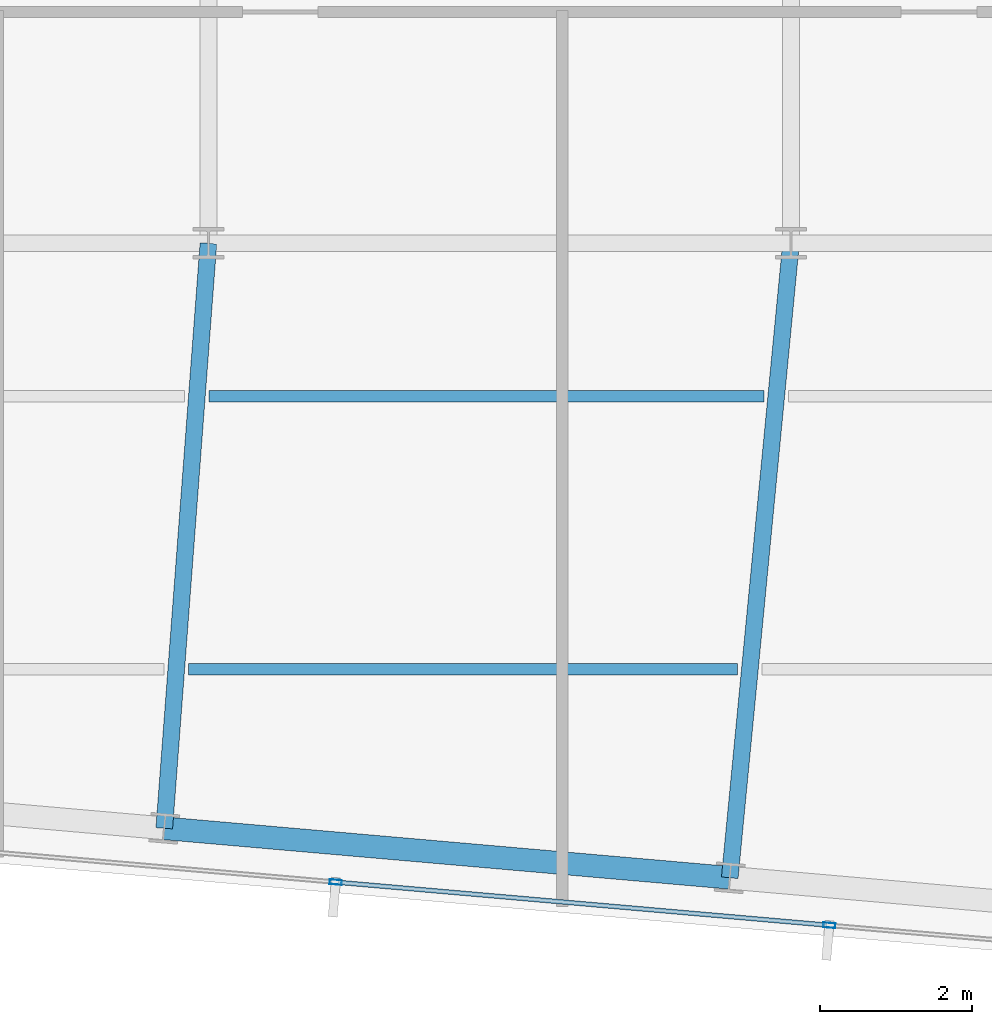
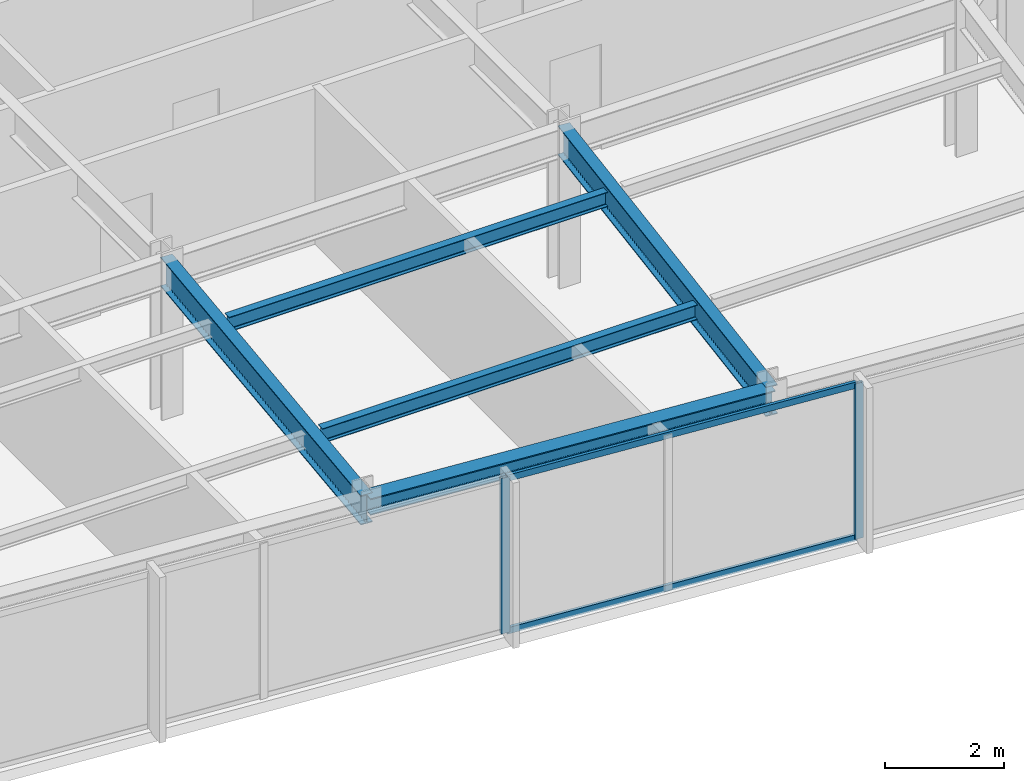
# One storey, part 13 of 32: 5 beams, 4 members, 1 element without a shape of its own.
"""IFC4 building model written with IfcOpenShell, lengths in metres."""

from ifc_helpers import new_model, si_unit, direction, frame, origin, origin_2d, place, context, subcontext, project, spatial, hollow_rectangle, i_section, extrude, material, material_profile, profile_set, type_object, element, aggregate, save


model = new_model("IFC4")

# Units and contexts
model_context = context("Model", 3, precision=1e-05, world=origin(), true_north=direction((0.0, 1.0)))
body_context = subcontext(model_context, "Body", "Model", "MODEL_VIEW")
ifc_project = project(units=[si_unit("LENGTHUNIT", "METRE"), si_unit("AREAUNIT", "SQUARE_METRE"), si_unit("VOLUMEUNIT", "CUBIC_METRE"), si_unit("PLANEANGLEUNIT", "RADIAN"), si_unit("MASSUNIT", "GRAM", prefix="KILO")], contexts=[model_context])

# Site, building, storey
site_placement = place(None, origin())
site = spatial("IfcSite", under=ifc_project, at=site_placement, CompositionType="ELEMENT")
building_placement = place(site_placement, origin())
building = spatial("IfcBuilding", under=site, at=building_placement, Name="Yelkora Congress Tower", CompositionType="ELEMENT")
storey_placement = place(building_placement, frame((0.0, 0.0, 272.699951171875)))
storey = spatial("IfcBuildingStorey", under=building, at=storey_placement, Name="L76", CompositionType="ELEMENT", Elevation=272.699951171875)

# Beams
ifc_material_1 = material(Name="Steel S355J2", Category="steel")
ifc_material_profile_1 = material_profile(ifc_material_1, i_section(OverallWidth=0.219970703125, OverallDepth=0.60009765625, WebThickness=0.011962890625, FlangeThickness=0.01904296875, FilletRadius=0.02392578125, at=origin_2d()), Name="IPE 600")
ifc_profile_set_1 = profile_set([ifc_material_profile_1], Name="Steel S355J2")
beam_type_1 = type_object("IfcBeamType", Name="BM-GIRD-IPE600", PredefinedType="BEAM", material=ifc_profile_set_1)
beam_1_placement = place(storey_placement, frame((37.8173828125, 17.489013671875, 2.880126953125), z_axis=(0.075329932006, 0.997158664077, 0.0), x_axis=(-0.997158664077, 0.075329932006, 0.0)))
element("IfcBeam", 1, at=beam_1_placement, inside=storey, type_object=beam_type_1, Name="L76 Primary Frame Girder S05", PredefinedType="BEAM", context=body_context, shape_type="SweptSolid", body=[
    extrude(i_section(OverallWidth=0.219970703125, OverallDepth=0.60009765625, WebThickness=0.011962890625, FlangeThickness=0.01904296875, FilletRadius=0.02392578125, at=origin_2d()), origin(), (0.0, 0.0, 1.0), 7.73291015625),
])
beam_2_placement = place(storey_placement, frame((45.2724609375, 16.836669921875, 2.880126953125), z_axis=(0.096119896563, 0.995369763196, 0.0), x_axis=(-0.995369763196, 0.096119896563, 0.0)))
element("IfcBeam", 2, at=beam_2_placement, inside=storey, type_object=beam_type_1, Name="L76 Primary Frame Girder S06", PredefinedType="BEAM", context=body_context, shape_type="SweptSolid", body=[
    extrude(i_section(OverallWidth=0.219970703125, OverallDepth=0.60009765625, WebThickness=0.011962890625, FlangeThickness=0.01904296875, FilletRadius=0.02392578125, at=origin_2d()), origin(), (0.0, 0.0, 1.0), 8.402099609375),
])
ifc_material_profile_2 = material_profile(ifc_material_1, i_section(OverallWidth=0.14990234375, OverallDepth=0.300048828125, WebThickness=0.007080078125, FlangeThickness=0.0107421875, FilletRadius=0.014892578125, at=origin_2d()), Name="IPE 300")
ifc_profile_set_2 = profile_set([ifc_material_profile_2], Name="Steel S355J2")
beam_type_2 = type_object("IfcBeamType", Name="BM-JOIST-IPE300", PredefinedType="JOIST", material=ifc_profile_set_2)
beam_3_placement = place(storey_placement, frame((38.1357421875, 19.58447265625, 3.030029296875), z_axis=(1.0, 0.0, 0.0), x_axis=(0.0, 1.0, 0.0)))
element("IfcBeam", 3, at=beam_3_placement, inside=storey, type_object=beam_type_2, Name="L76 Composite Floor Joist 3", PredefinedType="JOIST", context=body_context, shape_type="SweptSolid", body=[
    extrude(i_section(OverallWidth=0.14990234375, OverallDepth=0.300048828125, WebThickness=0.007080078125, FlangeThickness=0.0107421875, FilletRadius=0.014892578125, at=origin_2d()), origin(), (0.0, 0.0, 1.0), 7.241943359375),
])
beam_4_placement = place(storey_placement, frame((38.40771484375, 23.1845703125, 3.030029296875), z_axis=(1.0, 0.0, 0.0), x_axis=(0.0, 1.0, 0.0)))
element("IfcBeam", 4, at=beam_4_placement, inside=storey, type_object=beam_type_2, Name="L76 Composite Floor Joist 7", PredefinedType="JOIST", context=body_context, shape_type="SweptSolid", body=[
    extrude(i_section(OverallWidth=0.14990234375, OverallDepth=0.300048828125, WebThickness=0.007080078125, FlangeThickness=0.0107421875, FilletRadius=0.014892578125, at=origin_2d()), origin(), (0.0, 0.0, 1.0), 7.317626953125),
])
ifc_material_profile_3 = material_profile(ifc_material_1, i_section(OverallWidth=0.300048828125, OverallDepth=0.340087890625, WebThickness=0.011962890625, FlangeThickness=0.021484375, FilletRadius=0.027099609375, at=origin_2d()), Name="HEB 340")
ifc_profile_set_3 = profile_set([ifc_material_profile_3], Name="Steel S355J2")
beam_type_3 = type_object("IfcBeamType", Name="BM-SPAN-HEB340", PredefinedType="SPANDREL", material=ifc_profile_set_3)
beam_5_placement = place(storey_placement, frame((37.8173828125, 17.489013671875, 3.010009765625), z_axis=(0.996193434204, -0.08717018785, 0.0), x_axis=(0.08717018785, 0.996193434204, 0.0)))
element("IfcBeam", 5, at=beam_5_placement, inside=storey, type_object=beam_type_3, Name="L76 Perimeter Beam 5", PredefinedType="SPANDREL", context=body_context, shape_type="SweptSolid", body=[
    extrude(i_section(OverallWidth=0.300048828125, OverallDepth=0.340087890625, WebThickness=0.011962890625, FlangeThickness=0.021484375, FilletRadius=0.027099609375, at=origin_2d()), origin(), (0.0, 0.0, 1.0), 7.483642578125),
])

# Curtain wall, members
ifc_material_2 = material(Name="Anodised aluminium and insulated glass", Category="aluminium")
curtain_wall_type = type_object("IfcCurtainWallType", Name="CW-SYS-B5", PredefinedType="NOTDEFINED", material=ifc_material_2)
curtain_wall_placement = place(storey_placement, origin())
curtain_wall = element("IfcCurtainWall", 6, at=curtain_wall_placement, inside=storey, type_object=curtain_wall_type, Name="L76 Unitised Curtain Wall 20", PredefinedType="NOTDEFINED")
ifc_material_3 = material(Name="Anodised aluminium 6063-T6", Category="aluminium")
ifc_material_profile_4 = material_profile(ifc_material_3, hollow_rectangle(XDim=0.06494140625, YDim=0.159912109375, WallThickness=0.00390625, at=origin_2d()), Name="ALU 65x160x4")
ifc_profile_set_4 = profile_set([ifc_material_profile_4], Name="Anodised aluminium 6063-T6")
member_type_1 = type_object("IfcMemberType", Name="MEM-ML-B5", PredefinedType="MULLION", material=ifc_profile_set_4)
member_1_placement = place(storey_placement, frame((46.58447265625, 16.2099609375, 0.0), z_axis=(0.0, 0.0, 1.0), x_axis=(-0.087156829793, -0.996194602987, 0.0)))
member_1 = element("IfcMember", 7, at=member_1_placement, type_object=member_type_1, Name="CW-B5 mullion 2", PredefinedType="MULLION", context=body_context, shape_type="SweptSolid", body=[
    extrude(hollow_rectangle(XDim=0.06494140625, YDim=0.159912109375, WallThickness=0.00390625, at=origin_2d()), origin(), (0.0, 0.0, 1.0), 3.179931640625),
])
member_2_placement = place(storey_placement, frame((40.077880859375, 16.779296875, 0.0), z_axis=(0.0, 0.0, 1.0), x_axis=(-0.087156829793, -0.996194602987, 0.0)))
member_2 = element("IfcMember", 8, at=member_2_placement, type_object=member_type_1, Name="CW-B5 mullion 3", PredefinedType="MULLION", context=body_context, shape_type="SweptSolid", body=[
    extrude(hollow_rectangle(XDim=0.06494140625, YDim=0.159912109375, WallThickness=0.00390625, at=origin_2d()), origin(), (0.0, 0.0, 1.0), 3.179931640625),
])
ifc_material_profile_5 = material_profile(ifc_material_3, hollow_rectangle(XDim=0.06005859375, YDim=0.1298828125, WallThickness=0.00390625, at=origin_2d()), Name="ALU 60x130x4")
ifc_profile_set_5 = profile_set([ifc_material_profile_5], Name="Anodised aluminium 6063-T6")
member_type_2 = type_object("IfcMemberType", Name="MEM-TR-B5", PredefinedType="USERDEFINED", material=ifc_profile_set_5)
member_3_placement = place(storey_placement, frame((46.55224609375, 16.212890625, 0.030029296875), z_axis=(-0.996196257862, 0.087137912649, 0.0), x_axis=(-0.087137912649, -0.996196257862, 0.0)))
member_3 = element("IfcMember", 9, at=member_3_placement, type_object=member_type_2, Name="CW-B5 transom 2.1", ObjectType="TRANSOM", PredefinedType="USERDEFINED", context=body_context, shape_type="SweptSolid", body=[
    extrude(hollow_rectangle(XDim=0.06005859375, YDim=0.1298828125, WallThickness=0.00390625, at=origin_2d()), origin(), (0.0, 0.0, 1.0), 6.466552734375),
])
member_4_placement = place(storey_placement, frame((46.55224609375, 16.212890625, 3.150146484375), z_axis=(-0.996196257862, 0.087137912649, 0.0), x_axis=(-0.087137912649, -0.996196257862, 0.0)))
member_4 = element("IfcMember", 10, at=member_4_placement, type_object=member_type_2, Name="CW-B5 transom 2.2", ObjectType="TRANSOM", PredefinedType="USERDEFINED", context=body_context, shape_type="SweptSolid", body=[
    extrude(hollow_rectangle(XDim=0.06005859375, YDim=0.1298828125, WallThickness=0.00390625, at=origin_2d()), origin(), (0.0, 0.0, 1.0), 6.466552734375),
])
aggregate(curtain_wall, [member_1, member_2, member_3, member_4])

save(model, "model.ifc")
